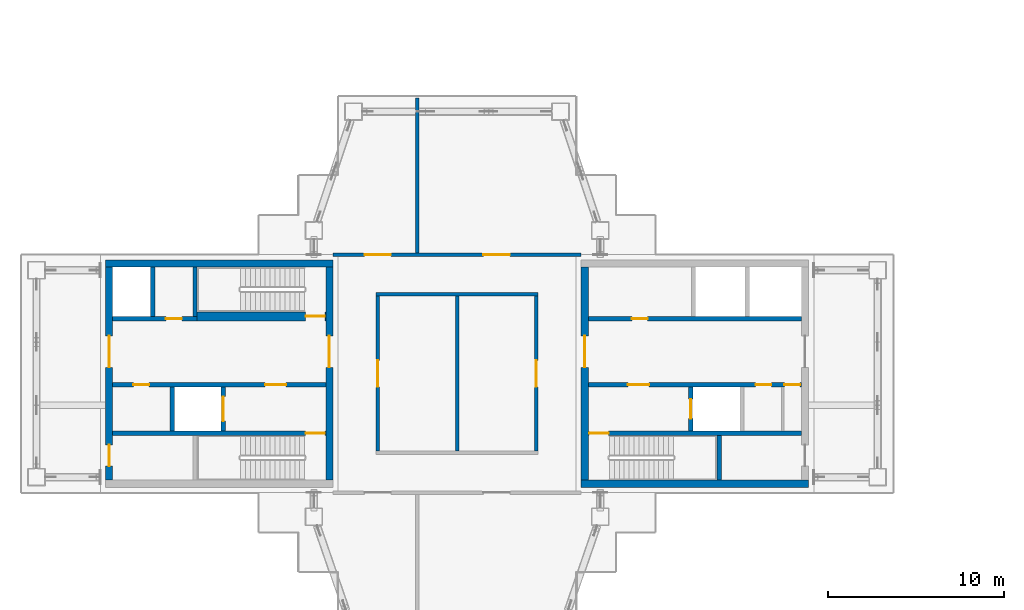
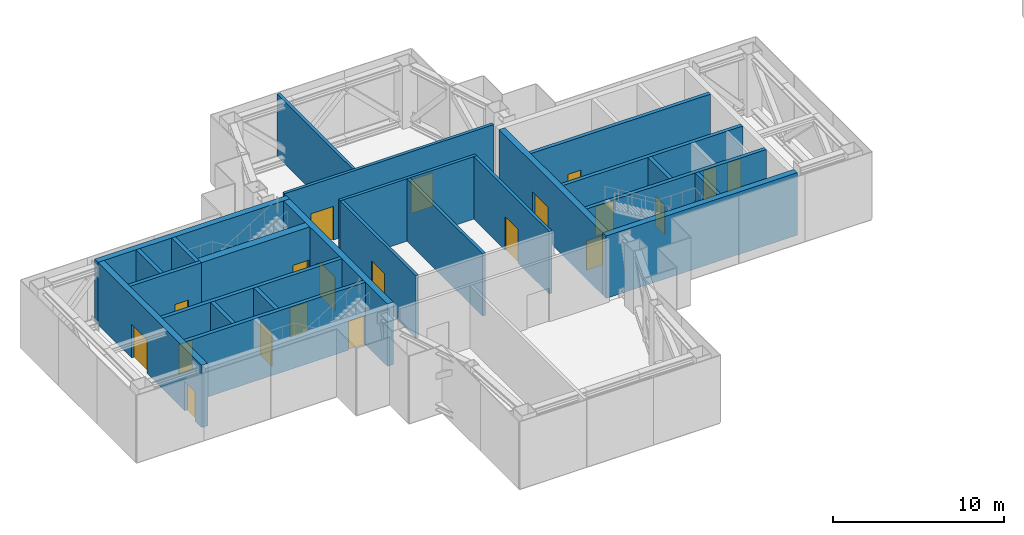
# One storey, part 7 of 18: 24 walls, 20 doors, 20 openings.
"""IFC4 building model written with IfcOpenShell, lengths in metres."""

from ifc_helpers import new_model, si_unit, direction, frame, frame_2d, origin, place, context, subcontext, project, spatial, rectangle, extrude, material, layer, layer_set, type_object, element, fill, save


model = new_model("IFC4")

# Units and contexts
model_context = context("Model", 3, precision=1e-05, world=origin(), true_north=direction((0.0, 1.0)))
body_context = subcontext(model_context, "Body", "Model", "MODEL_VIEW")
ifc_project = project(units=[si_unit("LENGTHUNIT", "METRE"), si_unit("AREAUNIT", "SQUARE_METRE"), si_unit("VOLUMEUNIT", "CUBIC_METRE"), si_unit("PLANEANGLEUNIT", "RADIAN"), si_unit("MASSUNIT", "GRAM", prefix="KILO")], contexts=[model_context])

# Site, building, storey
site_placement = place(None, origin())
site = spatial("IfcSite", under=ifc_project, at=site_placement, CompositionType="ELEMENT")
building_placement = place(site_placement, origin())
building = spatial("IfcBuilding", under=site, at=building_placement, Name="Shamsa Quay Exchange Towers", CompositionType="ELEMENT")
storey_placement = place(building_placement, frame((0.0, 0.0, 225.60009765625)))
storey = spatial("IfcBuildingStorey", under=building, at=storey_placement, Name="L54", CompositionType="ELEMENT", Elevation=225.60009765625)

# Wall
ifc_material_1 = material(Name="Concrete C60/75", Category="concrete")
ifc_layer_1 = layer(ifc_material_1, 0.39990234375)
ifc_layer_set_1 = layer_set([ifc_layer_1], Name="CORE WALL 400 C60/75")
wall_type_1 = type_object("IfcWallType", Name="CORE WALL 400 C60/75", PredefinedType="SHEAR", material=ifc_layer_set_1)
wall_1_placement = place(storey_placement, frame((-26.699951171875, -6.25, 0.0)))
element("IfcWall", 1, at=wall_1_placement, inside=storey, type_object=wall_type_1, Name="Core wall T1A-L54-PS", PredefinedType="SHEAR", context=body_context, shape_type="SweptSolid", body=[
    extrude(rectangle(XDim=12.89990234375, YDim=0.39990234375, at=frame_2d((6.449951171875, 0.0))), origin(), (0.0, 0.0, 1.0), 4.449951171875),
])

# Wall, opening, door
wall_2_placement = place(storey_placement, frame((-26.5, 6.050048828125, 0.0), z_axis=(0.0, 0.0, 1.0), x_axis=(0.0, -1.0, 0.0)))
wall_2 = element("IfcWall", 2, at=wall_2_placement, inside=storey, type_object=wall_type_1, Name="Core wall T1A-L54-PF", PredefinedType="SHEAR", context=body_context, shape_type="SweptSolid", body=[
    extrude(rectangle(XDim=12.10009765625, YDim=0.39990234375, at=frame_2d((6.050048828125, 0.0))), origin(), (0.0, 0.0, 1.0), 4.449951171875),
])
opening_1_placement = place(wall_2_placement, frame((3.89990234375, 0.0, 0.0)))
opening_1 = element("IfcOpeningElement", 3, at=opening_1_placement, cuts=wall_2, Name="Opening T1A-L54-LBD01", PredefinedType="OPENING", context=body_context, shape_type="SweptSolid", body=[
    extrude(rectangle(XDim=1.800048828125, YDim=2.39990234375, at=frame_2d((0.89990234375, 1.199951171875))), frame((0.0, 0.2099609375, 0.0), z_axis=(0.0, -1.0, 0.0), x_axis=(1.0, 0.0, 0.0)), (0.0, 0.0, 1.0), 0.419921875),
])
ifc_material_2 = material(Name="Steel, fire rated", Category="steel")
door_type_1 = type_object("IfcDoorType", Name="LIFT LOBBY DOOR PAIR 1800", OperationType="DOUBLE_DOOR_SINGLE_SWING", PredefinedType="DOOR", material=ifc_material_2)
door_1_placement = place(opening_1_placement, origin())
door_1 = element("IfcDoor", 4, at=door_1_placement, inside=storey, type_object=door_type_1, Name="T1A-L54-LBD01", OperationType="DOUBLE_DOOR_SINGLE_SWING", OverallHeight=2.39990234375, OverallWidth=1.800048828125, PredefinedType="DOOR", context=body_context, shape_type="SweptSolid", body=[
    extrude(rectangle(XDim=1.800048828125, YDim=2.39990234375, at=frame_2d((0.89990234375, 1.199951171875))), frame((0.0, 0.02490234375, 0.0), z_axis=(0.0, -1.0, 0.0), x_axis=(1.0, 0.0, 0.0)), (0.0, 0.0, 1.0), 0.050048828125),
])
fill(opening_1, door_1)

# Wall
wall_3_placement = place(storey_placement, frame((-40.800048828125, 6.25, 0.0), z_axis=(0.0, 0.0, 1.0), x_axis=(-1.0, 0.0, 0.0)))
element("IfcWall", 5, at=wall_3_placement, inside=storey, type_object=wall_type_1, Name="Core wall T1B-L54-PN", PredefinedType="SHEAR", context=body_context, shape_type="SweptSolid", body=[
    extrude(rectangle(XDim=12.89990234375, YDim=0.39990234375, at=frame_2d((6.449951171875, 0.0))), origin(), (0.0, 0.0, 1.0), 4.449951171875),
])

# Wall, opening, door
wall_4_placement = place(storey_placement, frame((-41.0, -6.050048828125, 0.0), z_axis=(0.0, 0.0, 1.0), x_axis=(0.0, 1.0, 0.0)))
wall_4 = element("IfcWall", 6, at=wall_4_placement, inside=storey, type_object=wall_type_1, Name="Core wall T1B-L54-PF", PredefinedType="SHEAR", context=body_context, shape_type="SweptSolid", body=[
    extrude(rectangle(XDim=12.10009765625, YDim=0.39990234375, at=frame_2d((6.050048828125, 0.0))), origin(), (0.0, 0.0, 1.0), 4.449951171875),
])
opening_2_placement = place(wall_4_placement, frame((6.39990234375, 0.0, 0.0)))
opening_2 = element("IfcOpeningElement", 7, at=opening_2_placement, cuts=wall_4, Name="Opening T1B-L54-LBD01", PredefinedType="OPENING", context=body_context, shape_type="SweptSolid", body=[
    extrude(rectangle(XDim=1.800048828125, YDim=2.39990234375, at=frame_2d((0.89990234375, 1.199951171875))), frame((0.0, 0.2099609375, 0.0), z_axis=(0.0, -1.0, 0.0), x_axis=(1.0, 0.0, 0.0)), (0.0, 0.0, 1.0), 0.419921875),
])
door_2_placement = place(opening_2_placement, origin())
door_2 = element("IfcDoor", 8, at=door_2_placement, inside=storey, type_object=door_type_1, Name="T1B-L54-LBD01", OperationType="DOUBLE_DOOR_SINGLE_SWING", OverallHeight=2.39990234375, OverallWidth=1.800048828125, PredefinedType="DOOR", context=body_context, shape_type="SweptSolid", body=[
    extrude(rectangle(XDim=1.800048828125, YDim=2.39990234375, at=frame_2d((0.89990234375, 1.199951171875))), frame((0.0, 0.02490234375, 0.0), z_axis=(0.0, -1.0, 0.0), x_axis=(1.0, 0.0, 0.0)), (0.0, 0.0, 1.0), 0.050048828125),
])
fill(opening_2, door_2)

# Wall, openings, doors
wall_5_placement = place(storey_placement, frame((-53.5, -6.050048828125, 0.0), z_axis=(0.0, 0.0, 1.0), x_axis=(0.0, 1.0, 0.0)))
wall_5 = element("IfcWall", 9, at=wall_5_placement, inside=storey, type_object=wall_type_1, Name="Core wall T1B-L54-PB", PredefinedType="SHEAR", context=body_context, shape_type="SweptSolid", body=[
    extrude(rectangle(XDim=12.10009765625, YDim=0.39990234375, at=frame_2d((6.050048828125, 0.0))), origin(), (0.0, 0.0, 1.0), 4.449951171875),
])
opening_3_placement = place(wall_5_placement, frame((0.800048828125, 0.0, 0.0)))
opening_3 = element("IfcOpeningElement", 10, at=opening_3_placement, cuts=wall_5, Name="Opening T1B-L54-RD02", PredefinedType="OPENING", context=body_context, shape_type="SweptSolid", body=[
    extrude(rectangle(XDim=1.199951171875, YDim=2.10009765625, at=frame_2d((0.60009765625, 1.050048828125))), frame((0.0, 0.2099609375, 0.0), z_axis=(0.0, -1.0, 0.0), x_axis=(1.0, 0.0, 0.0)), (0.0, 0.0, 1.0), 0.419921875),
])
opening_4_placement = place(wall_5_placement, frame((6.39990234375, 0.0, 0.0)))
opening_4 = element("IfcOpeningElement", 11, at=opening_4_placement, cuts=wall_5, Name="Opening T1B-L54-LBD03", PredefinedType="OPENING", context=body_context, shape_type="SweptSolid", body=[
    extrude(rectangle(XDim=1.800048828125, YDim=2.39990234375, at=frame_2d((0.89990234375, 1.199951171875))), frame((0.0, 0.2099609375, 0.0), z_axis=(0.0, -1.0, 0.0), x_axis=(1.0, 0.0, 0.0)), (0.0, 0.0, 1.0), 0.419921875),
])
door_3_placement = place(opening_4_placement, origin())
door_3 = element("IfcDoor", 12, at=door_3_placement, inside=storey, type_object=door_type_1, Name="T1B-L54-LBD03", OperationType="DOUBLE_DOOR_SINGLE_SWING", OverallHeight=2.39990234375, OverallWidth=1.800048828125, PredefinedType="DOOR", context=body_context, shape_type="SweptSolid", body=[
    extrude(rectangle(XDim=1.800048828125, YDim=2.39990234375, at=frame_2d((0.89990234375, 1.199951171875))), frame((0.0, 0.02490234375, 0.0), z_axis=(0.0, -1.0, 0.0), x_axis=(1.0, 0.0, 0.0)), (0.0, 0.0, 1.0), 0.050048828125),
])
fill(opening_4, door_3)
door_type_2 = type_object("IfcDoorType", Name="RISER ACCESS DOOR 1200", OperationType="SINGLE_SWING_LEFT", PredefinedType="DOOR", material=ifc_material_2)
door_4_placement = place(opening_3_placement, origin())
door_4 = element("IfcDoor", 13, at=door_4_placement, inside=storey, type_object=door_type_2, Name="T1B-L54-RD02", OperationType="SINGLE_SWING_LEFT", OverallHeight=2.10009765625, OverallWidth=1.199951171875, PredefinedType="DOOR", context=body_context, shape_type="SweptSolid", body=[
    extrude(rectangle(XDim=1.199951171875, YDim=2.10009765625, at=frame_2d((0.60009765625, 1.050048828125))), frame((0.0, 0.02490234375, 0.0), z_axis=(0.0, -1.0, 0.0), x_axis=(1.0, 0.0, 0.0)), (0.0, 0.0, 1.0), 0.050048828125),
])
fill(opening_3, door_4)

# Wall, opening, door
ifc_material_3 = material(Name="Gypsum board partition on metal studs")
ifc_layer_2 = layer(ifc_material_3, 0.199951171875)
ifc_layer_set_2 = layer_set([ifc_layer_2], Name="Partition 200 mm EI 120")
wall_type_2 = type_object("IfcWallType", Name="Partition 200 mm EI 120", PredefinedType="PARTITIONING", material=ifc_layer_set_2)
wall_6_placement = place(storey_placement, frame((-38.25, 4.39990234375, 0.0), z_axis=(0.0, 0.0, 1.0), x_axis=(0.0, -1.0, 0.0)))
wall_6 = element("IfcWall", 14, at=wall_6_placement, inside=storey, type_object=wall_type_2, Name="Partition T1-L54-W01", PredefinedType="PARTITIONING", context=body_context, shape_type="SweptSolid", body=[
    extrude(rectangle(XDim=8.7998046875, YDim=0.199951171875, at=frame_2d((4.39990234375, 0.0))), origin(), (0.0, 0.0, 1.0), 4.449951171875),
])
opening_5_placement = place(wall_6_placement, frame((3.64990234375, 0.0, 0.0)))
opening_5 = element("IfcOpeningElement", 15, at=opening_5_placement, cuts=wall_6, Name="Opening T1-L54-D03", PredefinedType="OPENING", context=body_context, shape_type="SweptSolid", body=[
    extrude(rectangle(XDim=1.5, YDim=2.39990234375, at=frame_2d((0.75, 1.199951171875))), frame((0.0, 0.10986328125, 0.0), z_axis=(0.0, -1.0, 0.0), x_axis=(1.0, 0.0, 0.0)), (0.0, 0.0, 1.0), 0.219970703125),
])
ifc_material_4 = material(Name="Timber door leaf in a metal frame", Category="wood")
door_type_3 = type_object("IfcDoorType", Name="Door 1500x2400 FD60 pair", OperationType="NOTDEFINED", PredefinedType="DOOR", material=ifc_material_4)
door_5_placement = place(opening_5_placement, origin())
door_5 = element("IfcDoor", 16, at=door_5_placement, inside=storey, type_object=door_type_3, Name="Door T1-L54-D03", OperationType="DOUBLE_DOOR_SINGLE_SWING", OverallHeight=2.39990234375, OverallWidth=1.5, PredefinedType="DOOR", context=body_context, shape_type="SweptSolid", body=[
    extrude(rectangle(XDim=1.5, YDim=2.39990234375, at=frame_2d((0.75, 1.199951171875))), frame((0.0, 0.02490234375, 0.0), z_axis=(0.0, -1.0, 0.0), x_axis=(1.0, 0.0, 0.0)), (0.0, 0.0, 1.0), 0.050048828125),
])
fill(opening_5, door_5)

# Wall
wall_7_placement = place(storey_placement, frame((-29.14990234375, 4.5, 0.0), z_axis=(0.0, 0.0, 1.0), x_axis=(-1.0, 0.0, 0.0)))
element("IfcWall", 17, at=wall_7_placement, inside=storey, type_object=wall_type_2, Name="Partition T1-L54-W03", PredefinedType="PARTITIONING", context=body_context, shape_type="SweptSolid", body=[
    extrude(rectangle(XDim=9.2001953125, YDim=0.199951171875, at=frame_2d((4.60009765625, 0.0))), origin(), (0.0, 0.0, 1.0), 4.449951171875),
])

# Wall, opening, door
wall_8_placement = place(storey_placement, frame((-29.25, -4.39990234375, 0.0), z_axis=(0.0, 0.0, 1.0), x_axis=(0.0, 1.0, 0.0)))
wall_8 = element("IfcWall", 18, at=wall_8_placement, inside=storey, type_object=wall_type_2, Name="Partition T1-L54-W04", PredefinedType="PARTITIONING", context=body_context, shape_type="SweptSolid", body=[
    extrude(rectangle(XDim=8.7998046875, YDim=0.199951171875, at=frame_2d((4.39990234375, 0.0))), origin(), (0.0, 0.0, 1.0), 4.449951171875),
])
opening_6_placement = place(wall_8_placement, frame((3.64990234375, 0.0, 0.0)))
opening_6 = element("IfcOpeningElement", 19, at=opening_6_placement, cuts=wall_8, Name="Opening T1-L54-D04", PredefinedType="OPENING", context=body_context, shape_type="SweptSolid", body=[
    extrude(rectangle(XDim=1.5, YDim=2.39990234375, at=frame_2d((0.75, 1.199951171875))), frame((0.0, 0.10986328125, 0.0), z_axis=(0.0, -1.0, 0.0), x_axis=(1.0, 0.0, 0.0)), (0.0, 0.0, 1.0), 0.219970703125),
])
door_6_placement = place(opening_6_placement, origin())
door_6 = element("IfcDoor", 20, at=door_6_placement, inside=storey, type_object=door_type_3, Name="Door T1-L54-D04", OperationType="DOUBLE_DOOR_SINGLE_SWING", OverallHeight=2.39990234375, OverallWidth=1.5, PredefinedType="DOOR", context=body_context, shape_type="SweptSolid", body=[
    extrude(rectangle(XDim=1.5, YDim=2.39990234375, at=frame_2d((0.75, 1.199951171875))), frame((0.0, 0.02490234375, 0.0), z_axis=(0.0, -1.0, 0.0), x_axis=(1.0, 0.0, 0.0)), (0.0, 0.0, 1.0), 0.050048828125),
])
fill(opening_6, door_6)

# Wall, openings, doors
wall_9_placement = place(storey_placement, frame((-40.800048828125, 6.75, 0.0)))
wall_9 = element("IfcWall", 21, at=wall_9_placement, inside=storey, type_object=wall_type_2, Name="Partition T1-L54-W05", PredefinedType="PARTITIONING", context=body_context, shape_type="SweptSolid", body=[
    extrude(rectangle(XDim=14.10009765625, YDim=0.199951171875, at=frame_2d((7.050048828125, 0.0))), origin(), (0.0, 0.0, 1.0), 4.449951171875),
])
opening_7_placement = place(wall_9_placement, frame((1.800048828125, 0.0, 0.0)))
opening_7 = element("IfcOpeningElement", 22, at=opening_7_placement, cuts=wall_9, Name="Opening T1-L54-D01", PredefinedType="OPENING", context=body_context, shape_type="SweptSolid", body=[
    extrude(rectangle(XDim=1.5, YDim=2.39990234375, at=frame_2d((0.75, 1.199951171875))), frame((0.0, 0.10986328125, 0.0), z_axis=(0.0, -1.0, 0.0), x_axis=(1.0, 0.0, 0.0)), (0.0, 0.0, 1.0), 0.219970703125),
])
opening_8_placement = place(wall_9_placement, frame((8.550048828125, 0.0, 0.0)))
opening_8 = element("IfcOpeningElement", 23, at=opening_8_placement, cuts=wall_9, Name="Opening T1-L54-D02", PredefinedType="OPENING", context=body_context, shape_type="SweptSolid", body=[
    extrude(rectangle(XDim=1.5, YDim=2.39990234375, at=frame_2d((0.75, 1.199951171875))), frame((0.0, 0.10986328125, 0.0), z_axis=(0.0, -1.0, 0.0), x_axis=(1.0, 0.0, 0.0)), (0.0, 0.0, 1.0), 0.219970703125),
])
door_7_placement = place(opening_7_placement, origin())
door_7 = element("IfcDoor", 24, at=door_7_placement, inside=storey, type_object=door_type_3, Name="Door T1-L54-D01", OperationType="DOUBLE_DOOR_SINGLE_SWING", OverallHeight=2.39990234375, OverallWidth=1.5, PredefinedType="DOOR", context=body_context, shape_type="SweptSolid", body=[
    extrude(rectangle(XDim=1.5, YDim=2.39990234375, at=frame_2d((0.75, 1.199951171875))), frame((0.0, 0.02490234375, 0.0), z_axis=(0.0, -1.0, 0.0), x_axis=(1.0, 0.0, 0.0)), (0.0, 0.0, 1.0), 0.050048828125),
])
fill(opening_7, door_7)
door_8_placement = place(opening_8_placement, origin())
door_8 = element("IfcDoor", 25, at=door_8_placement, inside=storey, type_object=door_type_3, Name="Door T1-L54-D02", OperationType="DOUBLE_DOOR_SINGLE_SWING", OverallHeight=2.39990234375, OverallWidth=1.5, PredefinedType="DOOR", context=body_context, shape_type="SweptSolid", body=[
    extrude(rectangle(XDim=1.5, YDim=2.39990234375, at=frame_2d((0.75, 1.199951171875))), frame((0.0, 0.02490234375, 0.0), z_axis=(0.0, -1.0, 0.0), x_axis=(1.0, 0.0, 0.0)), (0.0, 0.0, 1.0), 0.050048828125),
])
fill(opening_8, door_8)

# Walls
wall_10_placement = place(storey_placement, frame((-33.75, -4.39990234375, 0.0), z_axis=(0.0, 0.0, 1.0), x_axis=(0.0, 1.0, 0.0)))
element("IfcWall", 26, at=wall_10_placement, inside=storey, type_object=wall_type_2, Name="Partition T1-L54-W07", PredefinedType="PARTITIONING", context=body_context, shape_type="SweptSolid", body=[
    extrude(rectangle(XDim=8.7998046875, YDim=0.199951171875, at=frame_2d((4.39990234375, 0.0))), origin(), (0.0, 0.0, 1.0), 4.449951171875),
])
wall_11_placement = place(storey_placement, frame((-36.0, 6.85009765625, 0.0), z_axis=(0.0, 0.0, 1.0), x_axis=(0.0, 1.0, 0.0)))
element("IfcWall", 27, at=wall_11_placement, inside=storey, type_object=wall_type_2, Name="Partition T1-L54-W09", PredefinedType="PARTITIONING", context=body_context, shape_type="SweptSolid", body=[
    extrude(rectangle(XDim=8.804931640625, YDim=0.199951171875, at=frame_2d((4.40234375, 0.0))), origin(), (0.0, 0.0, 1.0), 4.449951171875),
])

# Wall, opening, door
ifc_material_5 = material(Name="Concrete C50/60", Category="concrete")
ifc_layer_3 = layer(ifc_material_5, 0.25)
ifc_layer_set_3 = layer_set([ifc_layer_3], Name="SHAFT WALL 250 C50/60")
wall_type_3 = type_object("IfcWallType", Name="SHAFT WALL 250 C50/60", PredefinedType="SHEAR", material=ifc_layer_set_3)
wall_12_placement = place(storey_placement, frame((-14.199951171875, -3.375, 0.0), z_axis=(0.0, 0.0, 1.0), x_axis=(-1.0, 0.0, 0.0)))
wall_12 = element("IfcWall", 28, at=wall_12_placement, inside=storey, type_object=wall_type_3, Name="Shaft wall T1A-L54-STL", PredefinedType="SHEAR", context=body_context, shape_type="SweptSolid", body=[
    extrude(rectangle(XDim=12.10009765625, YDim=0.25, at=frame_2d((6.050048828125, 0.0))), origin(), (0.0, 0.0, 1.0), 4.449951171875),
])
opening_9_placement = place(wall_12_placement, frame((10.949951171875, 0.0, 0.0)))
opening_9 = element("IfcOpeningElement", 29, at=opening_9_placement, cuts=wall_12, Name="Opening T1A-L54-SD04", PredefinedType="OPENING", context=body_context, shape_type="SweptSolid", body=[
    extrude(rectangle(XDim=1.10009765625, YDim=2.10009765625, at=frame_2d((0.550048828125, 1.050048828125))), frame((0.0, 0.135009765625, 0.0), z_axis=(0.0, -1.0, 0.0), x_axis=(1.0, 0.0, 0.0)), (0.0, 0.0, 1.0), 0.27001953125),
])
door_type_4 = type_object("IfcDoorType", Name="STAIR DOOR 1100", OperationType="SINGLE_SWING_LEFT", PredefinedType="DOOR", material=ifc_material_2)
door_9_placement = place(opening_9_placement, origin())
door_9 = element("IfcDoor", 30, at=door_9_placement, inside=storey, type_object=door_type_4, Name="T1A-L54-SD04", OperationType="SINGLE_SWING_RIGHT", OverallHeight=2.10009765625, OverallWidth=1.10009765625, PredefinedType="DOOR", context=body_context, shape_type="SweptSolid", body=[
    extrude(rectangle(XDim=1.10009765625, YDim=2.10009765625, at=frame_2d((0.550048828125, 1.050048828125))), frame((0.0, 0.02490234375, 0.0), z_axis=(0.0, -1.0, 0.0), x_axis=(1.0, 0.0, 0.0)), (0.0, 0.0, 1.0), 0.050048828125),
])
fill(opening_9, door_9)

# Wall
wall_13_placement = place(storey_placement, frame((-18.875, -6.050048828125, 0.0), z_axis=(0.0, 0.0, 1.0), x_axis=(0.0, 1.0, 0.0)))
element("IfcWall", 31, at=wall_13_placement, inside=storey, type_object=wall_type_3, Name="Shaft wall T1A-L54-STF", PredefinedType="SHEAR", context=body_context, shape_type="SweptSolid", body=[
    extrude(rectangle(XDim=2.550048828125, YDim=0.25, at=frame_2d((1.27490234375, 0.0))), origin(), (0.0, 0.0, 1.0), 4.449951171875),
])

# Wall, openings, doors
wall_14_placement = place(storey_placement, frame((-14.199951171875, -0.625, 0.0), z_axis=(0.0, 0.0, 1.0), x_axis=(-1.0, 0.0, 0.0)))
wall_14 = element("IfcWall", 32, at=wall_14_placement, inside=storey, type_object=wall_type_3, Name="Shaft wall T1A-L54-B", PredefinedType="SHEAR", context=body_context, shape_type="SweptSolid", body=[
    extrude(rectangle(XDim=12.10009765625, YDim=0.25, at=frame_2d((6.050048828125, 0.0))), origin(), (0.0, 0.0, 1.0), 4.449951171875),
])
opening_10_placement = place(wall_14_placement, frame((8.64990234375, 0.0, 0.0)))
opening_10 = element("IfcOpeningElement", 33, at=opening_10_placement, cuts=wall_14, Name="Opening T1A-L54-FD05", PredefinedType="OPENING", context=body_context, shape_type="SweptSolid", body=[
    extrude(rectangle(XDim=1.199951171875, YDim=2.10009765625, at=frame_2d((0.60009765625, 1.050048828125))), frame((0.0, 0.135009765625, 0.0), z_axis=(0.0, -1.0, 0.0), x_axis=(1.0, 0.0, 0.0)), (0.0, 0.0, 1.0), 0.27001953125),
])
opening_11_placement = place(wall_14_placement, frame((1.699951171875, 0.0, 0.0)))
opening_11 = element("IfcOpeningElement", 34, at=opening_11_placement, cuts=wall_14, Name="Opening T1A-L54-SV06", PredefinedType="OPENING", context=body_context, shape_type="SweptSolid", body=[
    extrude(rectangle(XDim=0.89990234375, YDim=2.10009765625, at=frame_2d((0.449951171875, 1.050048828125))), frame((0.0, 0.135009765625, 0.0), z_axis=(0.0, -1.0, 0.0), x_axis=(1.0, 0.0, 0.0)), (0.0, 0.0, 1.0), 0.27001953125),
])
opening_12_placement = place(wall_14_placement, frame((0.074951171875, 0.0, 0.0)))
opening_12 = element("IfcOpeningElement", 35, at=opening_12_placement, cuts=wall_14, Name="Opening T1A-L54-SV07", PredefinedType="OPENING", context=body_context, shape_type="SweptSolid", body=[
    extrude(rectangle(XDim=0.89990234375, YDim=2.10009765625, at=frame_2d((0.449951171875, 1.050048828125))), frame((0.0, 0.135009765625, 0.0), z_axis=(0.0, -1.0, 0.0), x_axis=(1.0, 0.0, 0.0)), (0.0, 0.0, 1.0), 0.27001953125),
])
door_type_5 = type_object("IfcDoorType", Name="FIRE SERVICE LOBBY DOOR 1200", OperationType="SINGLE_SWING_LEFT", PredefinedType="DOOR", material=ifc_material_2)
door_10_placement = place(opening_10_placement, origin())
door_10 = element("IfcDoor", 36, at=door_10_placement, inside=storey, type_object=door_type_5, Name="T1A-L54-FD05", OperationType="SINGLE_SWING_RIGHT", OverallHeight=2.10009765625, OverallWidth=1.199951171875, PredefinedType="DOOR", context=body_context, shape_type="SweptSolid", body=[
    extrude(rectangle(XDim=1.199951171875, YDim=2.10009765625, at=frame_2d((0.60009765625, 1.050048828125))), frame((0.0, 0.02490234375, 0.0), z_axis=(0.0, -1.0, 0.0), x_axis=(1.0, 0.0, 0.0)), (0.0, 0.0, 1.0), 0.050048828125),
])
fill(opening_10, door_10)
door_type_6 = type_object("IfcDoorType", Name="SERVICE ROOM DOOR 900", OperationType="SINGLE_SWING_LEFT", PredefinedType="DOOR", material=ifc_material_2)
door_11_placement = place(opening_11_placement, origin())
door_11 = element("IfcDoor", 37, at=door_11_placement, inside=storey, type_object=door_type_6, Name="T1A-L54-SV06", OperationType="SINGLE_SWING_LEFT", OverallHeight=2.10009765625, OverallWidth=0.89990234375, PredefinedType="DOOR", context=body_context, shape_type="SweptSolid", body=[
    extrude(rectangle(XDim=0.89990234375, YDim=2.10009765625, at=frame_2d((0.449951171875, 1.050048828125))), frame((0.0, 0.02490234375, 0.0), z_axis=(0.0, -1.0, 0.0), x_axis=(1.0, 0.0, 0.0)), (0.0, 0.0, 1.0), 0.050048828125),
])
fill(opening_11, door_11)
door_12_placement = place(opening_12_placement, origin())
door_12 = element("IfcDoor", 38, at=door_12_placement, inside=storey, type_object=door_type_6, Name="T1A-L54-SV07", OperationType="SINGLE_SWING_LEFT", OverallHeight=2.10009765625, OverallWidth=0.89990234375, PredefinedType="DOOR", context=body_context, shape_type="SweptSolid", body=[
    extrude(rectangle(XDim=0.89990234375, YDim=2.10009765625, at=frame_2d((0.449951171875, 1.050048828125))), frame((0.0, 0.02490234375, 0.0), z_axis=(0.0, -1.0, 0.0), x_axis=(1.0, 0.0, 0.0)), (0.0, 0.0, 1.0), 0.050048828125),
])
fill(opening_12, door_12)

# Wall, opening, door
wall_15_placement = place(storey_placement, frame((-20.47509765625, -3.25, 0.0), z_axis=(0.0, 0.0, 1.0), x_axis=(0.0, 1.0, 0.0)))
wall_15 = element("IfcWall", 39, at=wall_15_placement, inside=storey, type_object=wall_type_3, Name="Shaft wall T1A-L54-FFF", PredefinedType="SHEAR", context=body_context, shape_type="SweptSolid", body=[
    extrude(rectangle(XDim=2.5, YDim=0.25, at=frame_2d((1.25, 0.0))), origin(), (0.0, 0.0, 1.0), 4.449951171875),
])
opening_13_placement = place(wall_15_placement, frame((0.699951171875, 0.0, 0.0)))
opening_13 = element("IfcOpeningElement", 40, at=opening_13_placement, cuts=wall_15, Name="Opening T1A-L54-LDF08", PredefinedType="OPENING", context=body_context, shape_type="SweptSolid", body=[
    extrude(rectangle(XDim=1.10009765625, YDim=2.10009765625, at=frame_2d((0.550048828125, 1.050048828125))), frame((0.0, 0.135009765625, 0.0), z_axis=(0.0, -1.0, 0.0), x_axis=(1.0, 0.0, 0.0)), (0.0, 0.0, 1.0), 0.27001953125),
])
door_type_7 = type_object("IfcDoorType", Name="FIRE SERVICE LANDING DOOR 1100", OperationType="SLIDING_TO_LEFT", PredefinedType="DOOR", material=ifc_material_2)
door_13_placement = place(opening_13_placement, origin())
door_13 = element("IfcDoor", 41, at=door_13_placement, inside=storey, type_object=door_type_7, Name="T1A-L54-LDF08", OperationType="SLIDING_TO_LEFT", OverallHeight=2.10009765625, OverallWidth=1.10009765625, PredefinedType="DOOR", context=body_context, shape_type="SweptSolid", body=[
    extrude(rectangle(XDim=1.10009765625, YDim=2.10009765625, at=frame_2d((0.550048828125, 1.050048828125))), frame((0.0, 0.02490234375, 0.0), z_axis=(0.0, -1.0, 0.0), x_axis=(1.0, 0.0, 0.0)), (0.0, 0.0, 1.0), 0.050048828125),
])
fill(opening_13, door_13)

wall_16_placement = place(storey_placement, frame((-26.300048828125, 3.125, 0.0)))
wall_16 = element("IfcWall", 42, at=wall_16_placement, inside=storey, type_object=wall_type_3, Name="Shaft wall T1A-L54-N", PredefinedType="SHEAR", context=body_context, shape_type="SweptSolid", body=[
    extrude(rectangle(XDim=12.10009765625, YDim=0.25, at=frame_2d((6.050048828125, 0.0))), origin(), (0.0, 0.0, 1.0), 4.449951171875),
])
opening_14_placement = place(wall_16_placement, frame((2.47509765625, 0.0, 0.0)))
opening_14 = element("IfcOpeningElement", 43, at=opening_14_placement, cuts=wall_16, Name="Opening T1A-L54-SV09", PredefinedType="OPENING", context=body_context, shape_type="SweptSolid", body=[
    extrude(rectangle(XDim=0.89990234375, YDim=2.10009765625, at=frame_2d((0.449951171875, 1.050048828125))), frame((0.0, 0.135009765625, 0.0), z_axis=(0.0, -1.0, 0.0), x_axis=(1.0, 0.0, 0.0)), (0.0, 0.0, 1.0), 0.27001953125),
])
door_14_placement = place(opening_14_placement, origin())
door_14 = element("IfcDoor", 44, at=door_14_placement, inside=storey, type_object=door_type_6, Name="T1A-L54-SV09", OperationType="SINGLE_SWING_LEFT", OverallHeight=2.10009765625, OverallWidth=0.89990234375, PredefinedType="DOOR", context=body_context, shape_type="SweptSolid", body=[
    extrude(rectangle(XDim=0.89990234375, YDim=2.10009765625, at=frame_2d((0.449951171875, 1.050048828125))), frame((0.0, 0.02490234375, 0.0), z_axis=(0.0, -1.0, 0.0), x_axis=(1.0, 0.0, 0.0)), (0.0, 0.0, 1.0), 0.050048828125),
])
fill(opening_14, door_14)

wall_17_placement = place(storey_placement, frame((-41.199951171875, -3.375, 0.0), z_axis=(0.0, 0.0, 1.0), x_axis=(-1.0, 0.0, 0.0)))
wall_17 = element("IfcWall", 45, at=wall_17_placement, inside=storey, type_object=wall_type_3, Name="Shaft wall T1B-L54-STL", PredefinedType="SHEAR", context=body_context, shape_type="SweptSolid", body=[
    extrude(rectangle(XDim=12.10009765625, YDim=0.25, at=frame_2d((6.050048828125, 0.0))), origin(), (0.0, 0.0, 1.0), 4.449951171875),
])
opening_15_placement = place(wall_17_placement, frame((0.050048828125, 0.0, 0.0)))
opening_15 = element("IfcOpeningElement", 46, at=opening_15_placement, cuts=wall_17, Name="Opening T1B-L54-SD04", PredefinedType="OPENING", context=body_context, shape_type="SweptSolid", body=[
    extrude(rectangle(XDim=1.10009765625, YDim=2.10009765625, at=frame_2d((0.550048828125, 1.050048828125))), frame((0.0, 0.135009765625, 0.0), z_axis=(0.0, -1.0, 0.0), x_axis=(1.0, 0.0, 0.0)), (0.0, 0.0, 1.0), 0.27001953125),
])
door_15_placement = place(opening_15_placement, origin())
door_15 = element("IfcDoor", 47, at=door_15_placement, inside=storey, type_object=door_type_4, Name="T1B-L54-SD04", OperationType="SINGLE_SWING_LEFT", OverallHeight=2.10009765625, OverallWidth=1.10009765625, PredefinedType="DOOR", context=body_context, shape_type="SweptSolid", body=[
    extrude(rectangle(XDim=1.10009765625, YDim=2.10009765625, at=frame_2d((0.550048828125, 1.050048828125))), frame((0.0, 0.02490234375, 0.0), z_axis=(0.0, -1.0, 0.0), x_axis=(1.0, 0.0, 0.0)), (0.0, 0.0, 1.0), 0.050048828125),
])
fill(opening_15, door_15)

# Wall, openings, doors
wall_18_placement = place(storey_placement, frame((-41.199951171875, -0.625, 0.0), z_axis=(0.0, 0.0, 1.0), x_axis=(-1.0, 0.0, 0.0)))
wall_18 = element("IfcWall", 48, at=wall_18_placement, inside=storey, type_object=wall_type_3, Name="Shaft wall T1B-L54-B", PredefinedType="SHEAR", context=body_context, shape_type="SweptSolid", body=[
    extrude(rectangle(XDim=12.10009765625, YDim=0.25, at=frame_2d((6.050048828125, 0.0))), origin(), (0.0, 0.0, 1.0), 4.449951171875),
])
opening_16_placement = place(wall_18_placement, frame((2.25, 0.0, 0.0)))
opening_16 = element("IfcOpeningElement", 49, at=opening_16_placement, cuts=wall_18, Name="Opening T1B-L54-FD05", PredefinedType="OPENING", context=body_context, shape_type="SweptSolid", body=[
    extrude(rectangle(XDim=1.199951171875, YDim=2.10009765625, at=frame_2d((0.60009765625, 1.050048828125))), frame((0.0, 0.135009765625, 0.0), z_axis=(0.0, -1.0, 0.0), x_axis=(1.0, 0.0, 0.0)), (0.0, 0.0, 1.0), 0.27001953125),
])
opening_17_placement = place(wall_18_placement, frame((10.02490234375, 0.0, 0.0)))
opening_17 = element("IfcOpeningElement", 50, at=opening_17_placement, cuts=wall_18, Name="Opening T1B-L54-SV06", PredefinedType="OPENING", context=body_context, shape_type="SweptSolid", body=[
    extrude(rectangle(XDim=0.89990234375, YDim=2.10009765625, at=frame_2d((0.449951171875, 1.050048828125))), frame((0.0, 0.135009765625, 0.0), z_axis=(0.0, -1.0, 0.0), x_axis=(1.0, 0.0, 0.0)), (0.0, 0.0, 1.0), 0.27001953125),
])
door_16_placement = place(opening_16_placement, origin())
door_16 = element("IfcDoor", 51, at=door_16_placement, inside=storey, type_object=door_type_5, Name="T1B-L54-FD05", OperationType="SINGLE_SWING_LEFT", OverallHeight=2.10009765625, OverallWidth=1.199951171875, PredefinedType="DOOR", context=body_context, shape_type="SweptSolid", body=[
    extrude(rectangle(XDim=1.199951171875, YDim=2.10009765625, at=frame_2d((0.60009765625, 1.050048828125))), frame((0.0, 0.02490234375, 0.0), z_axis=(0.0, -1.0, 0.0), x_axis=(1.0, 0.0, 0.0)), (0.0, 0.0, 1.0), 0.050048828125),
])
fill(opening_16, door_16)
door_17_placement = place(opening_17_placement, origin())
door_17 = element("IfcDoor", 52, at=door_17_placement, inside=storey, type_object=door_type_6, Name="T1B-L54-SV06", OperationType="SINGLE_SWING_RIGHT", OverallHeight=2.10009765625, OverallWidth=0.89990234375, PredefinedType="DOOR", context=body_context, shape_type="SweptSolid", body=[
    extrude(rectangle(XDim=0.89990234375, YDim=2.10009765625, at=frame_2d((0.449951171875, 1.050048828125))), frame((0.0, 0.02490234375, 0.0), z_axis=(0.0, -1.0, 0.0), x_axis=(1.0, 0.0, 0.0)), (0.0, 0.0, 1.0), 0.050048828125),
])
fill(opening_17, door_17)

# Wall, opening, door
wall_19_placement = place(storey_placement, frame((-47.02490234375, -3.25, 0.0), z_axis=(0.0, 0.0, 1.0), x_axis=(0.0, 1.0, 0.0)))
wall_19 = element("IfcWall", 53, at=wall_19_placement, inside=storey, type_object=wall_type_3, Name="Shaft wall T1B-L54-FFF", PredefinedType="SHEAR", context=body_context, shape_type="SweptSolid", body=[
    extrude(rectangle(XDim=2.5, YDim=0.25, at=frame_2d((1.25, 0.0))), origin(), (0.0, 0.0, 1.0), 4.449951171875),
])
opening_18_placement = place(wall_19_placement, frame((0.550048828125, 0.0, 0.0)))
opening_18 = element("IfcOpeningElement", 54, at=opening_18_placement, cuts=wall_19, Name="Opening T1B-L54-LDG07", PredefinedType="OPENING", context=body_context, shape_type="SweptSolid", body=[
    extrude(rectangle(XDim=1.39990234375, YDim=2.39990234375, at=frame_2d((0.699951171875, 1.199951171875))), frame((0.0, 0.135009765625, 0.0), z_axis=(0.0, -1.0, 0.0), x_axis=(1.0, 0.0, 0.0)), (0.0, 0.0, 1.0), 0.27001953125),
])
door_type_8 = type_object("IfcDoorType", Name="GOODS LIFT LANDING DOOR 1400", OperationType="SLIDING_TO_LEFT", PredefinedType="DOOR", material=ifc_material_2)
door_18_placement = place(opening_18_placement, origin())
door_18 = element("IfcDoor", 55, at=door_18_placement, inside=storey, type_object=door_type_8, Name="T1B-L54-LDG07", OperationType="SLIDING_TO_LEFT", OverallHeight=2.39990234375, OverallWidth=1.39990234375, PredefinedType="DOOR", context=body_context, shape_type="SweptSolid", body=[
    extrude(rectangle(XDim=1.39990234375, YDim=2.39990234375, at=frame_2d((0.699951171875, 1.199951171875))), frame((0.0, 0.02490234375, 0.0), z_axis=(0.0, -1.0, 0.0), x_axis=(1.0, 0.0, 0.0)), (0.0, 0.0, 1.0), 0.050048828125),
])
fill(opening_18, door_18)

# Wall
wall_20_placement = place(storey_placement, frame((-49.925048828125, -3.25, 0.0), z_axis=(0.0, 0.0, 1.0), x_axis=(0.0, 1.0, 0.0)))
element("IfcWall", 56, at=wall_20_placement, inside=storey, type_object=wall_type_3, Name="Shaft wall T1B-L54-FFB", PredefinedType="SHEAR", context=body_context, shape_type="SweptSolid", body=[
    extrude(rectangle(XDim=2.5, YDim=0.25, at=frame_2d((1.25, 0.0))), origin(), (0.0, 0.0, 1.0), 4.449951171875),
])

# Wall, opening, door
wall_21_placement = place(storey_placement, frame((-53.300048828125, 3.125, 0.0)))
wall_21 = element("IfcWall", 57, at=wall_21_placement, inside=storey, type_object=wall_type_3, Name="Shaft wall T1B-L54-N2", PredefinedType="SHEAR", context=body_context, shape_type="SweptSolid", body=[
    extrude(rectangle(XDim=4.800048828125, YDim=0.25, at=frame_2d((2.39990234375, 0.0))), origin(), (0.0, 0.0, 1.0), 4.449951171875),
])
opening_19_placement = place(wall_21_placement, frame((3.02490234375, 0.0, 0.0)))
opening_19 = element("IfcOpeningElement", 58, at=opening_19_placement, cuts=wall_21, Name="Opening T1B-L54-SV09", PredefinedType="OPENING", context=body_context, shape_type="SweptSolid", body=[
    extrude(rectangle(XDim=0.89990234375, YDim=2.10009765625, at=frame_2d((0.449951171875, 1.050048828125))), frame((0.0, 0.135009765625, 0.0), z_axis=(0.0, -1.0, 0.0), x_axis=(1.0, 0.0, 0.0)), (0.0, 0.0, 1.0), 0.27001953125),
])
door_19_placement = place(opening_19_placement, origin())
door_19 = element("IfcDoor", 59, at=door_19_placement, inside=storey, type_object=door_type_6, Name="T1B-L54-SV09", OperationType="SINGLE_SWING_RIGHT", OverallHeight=2.10009765625, OverallWidth=0.89990234375, PredefinedType="DOOR", context=body_context, shape_type="SweptSolid", body=[
    extrude(rectangle(XDim=0.89990234375, YDim=2.10009765625, at=frame_2d((0.449951171875, 1.050048828125))), frame((0.0, 0.02490234375, 0.0), z_axis=(0.0, -1.0, 0.0), x_axis=(1.0, 0.0, 0.0)), (0.0, 0.0, 1.0), 0.050048828125),
])
fill(opening_19, door_19)

# Walls
for number, where, z_axis, x_axis, name in (
    (60, (-48.625, 3.25, 0.0), (0.0, 0.0, 1.0), (0.0, 1.0, 0.0), "Shaft wall T1B-L54-STF2"),
    (61, (-51.02490234375, 3.25, 0.0), (0.0, 0.0, 1.0), (0.0, 1.0, 0.0), "Shaft wall T1B-L54-D0"),
):
    element("IfcWall", number, at=place(storey_placement, frame(where, z_axis=z_axis, x_axis=x_axis)), inside=storey, type_object=wall_type_3, Name=name, PredefinedType="SHEAR", context=body_context, shape_type="SweptSolid", body=[
        extrude(rectangle(XDim=2.800048828125, YDim=0.25, at=frame_2d((1.39990234375, 0.0))), origin(), (0.0, 0.0, 1.0), 4.449951171875),
    ])

# Wall, opening, door
ifc_layer_4 = layer(ifc_material_5, 0.5)
ifc_layer_set_4 = layer_set([ifc_layer_4], Name="SHAFT WALL 500 C50/60")
wall_type_4 = type_object("IfcWallType", Name="SHAFT WALL 500 C50/60", PredefinedType="SHEAR", material=ifc_layer_set_4)
wall_22_placement = place(storey_placement, frame((-48.5, 3.25, 0.0)))
wall_22 = element("IfcWall", 62, at=wall_22_placement, inside=storey, type_object=wall_type_4, Name="Shaft wall T1B-L54-N", PredefinedType="SHEAR", context=body_context, shape_type="SweptSolid", body=[
    extrude(rectangle(XDim=7.300048828125, YDim=0.5, at=frame_2d((3.64990234375, 0.0))), origin(), (0.0, 0.0, 1.0), 4.449951171875),
])
opening_20_placement = place(wall_22_placement, frame((6.14990234375, 0.0, 0.0)))
opening_20 = element("IfcOpeningElement", 63, at=opening_20_placement, cuts=wall_22, Name="Opening T1B-L54-SD08", PredefinedType="OPENING", context=body_context, shape_type="SweptSolid", body=[
    extrude(rectangle(XDim=1.10009765625, YDim=2.10009765625, at=frame_2d((0.550048828125, 1.050048828125))), frame((0.0, 0.260009765625, 0.0), z_axis=(0.0, -1.0, 0.0), x_axis=(1.0, 0.0, 0.0)), (0.0, 0.0, 1.0), 0.52001953125),
])
door_20_placement = place(opening_20_placement, origin())
door_20 = element("IfcDoor", 64, at=door_20_placement, inside=storey, type_object=door_type_4, Name="T1B-L54-SD08", OperationType="SINGLE_SWING_RIGHT", OverallHeight=2.10009765625, OverallWidth=1.10009765625, PredefinedType="DOOR", context=body_context, shape_type="SweptSolid", body=[
    extrude(rectangle(XDim=1.10009765625, YDim=2.10009765625, at=frame_2d((0.550048828125, 1.050048828125))), frame((0.0, 0.02490234375, 0.0), z_axis=(0.0, -1.0, 0.0), x_axis=(1.0, 0.0, 0.0)), (0.0, 0.0, 1.0), 0.050048828125),
])
fill(opening_20, door_20)

save(model, "model.ifc")
